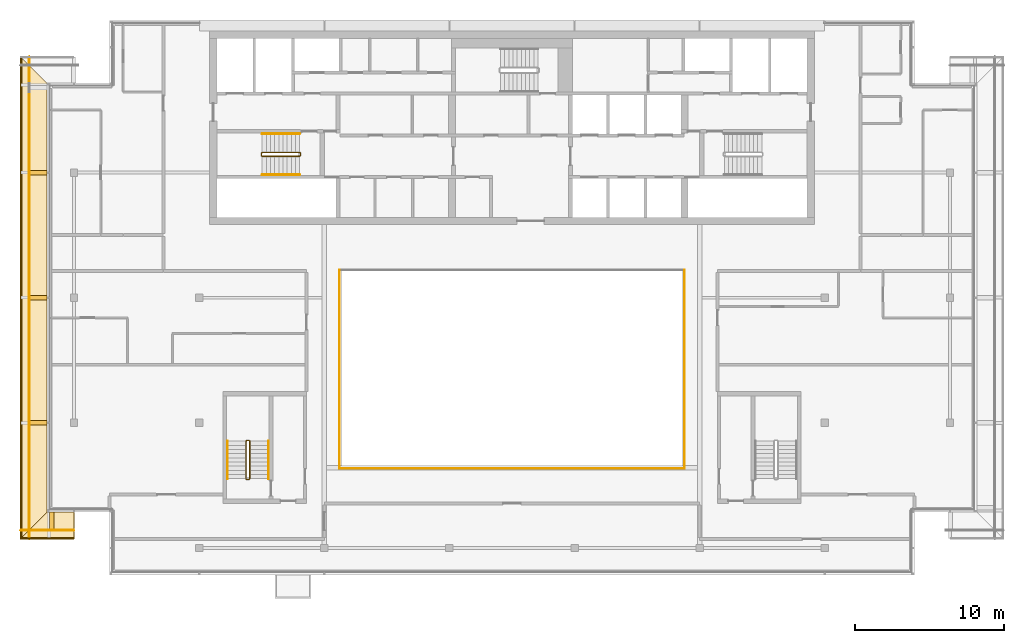
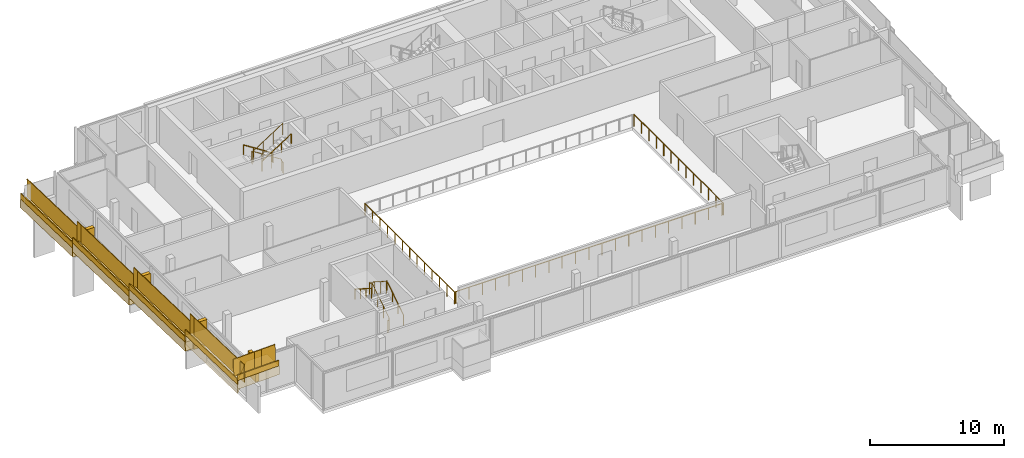
# One storey, part 16 of 19: 18 railings, 14 coverings.
"""IFC4 building model written with IfcOpenShell, lengths in metres."""

from ifc_helpers import new_model, si_unit, direction, frame, origin, origin_2d, place, context, subcontext, project, spatial, polyline, rectangle, circle, outline, extrude, material, layer, layer_set, type_object, element, save


model = new_model("IFC4")

# Units and contexts
model_context = context("Model", 3, precision=1e-05, world=origin(), true_north=direction((0.0, 1.0)))
body_context = subcontext(model_context, "Body", "Model", "MODEL_VIEW")
ifc_project = project(units=[si_unit("LENGTHUNIT", "METRE"), si_unit("AREAUNIT", "SQUARE_METRE"), si_unit("VOLUMEUNIT", "CUBIC_METRE"), si_unit("PLANEANGLEUNIT", "RADIAN"), si_unit("MASSUNIT", "GRAM", prefix="KILO")], contexts=[model_context])

# Site, building, storey
site_placement = place(None, origin())
site = spatial("IfcSite", under=ifc_project, at=site_placement, CompositionType="ELEMENT")
building_placement = place(site_placement, origin())
building = spatial("IfcBuilding", under=site, at=building_placement, Name="Saffron Gate Tower", CompositionType="ELEMENT")
storey_placement = place(building_placement, frame((0.0, 0.0, 292.35009765625)))
storey = spatial("IfcBuildingStorey", under=building, at=storey_placement, Name="L71", CompositionType="ELEMENT", Elevation=292.35009765625)

# Railings
ifc_material_1 = material(Name="Stainless steel and laminated glass", Category="steel")
railing_type_1 = type_object("IfcRailingType", Name="AG1 Atrium edge guard 1100", PredefinedType="GUARDRAIL", material=ifc_material_1)
railing_1_placement = place(storey_placement, frame((76.02001953125, 45.5400390625, 0.0)))
element("IfcRailing", 1, at=railing_1_placement, inside=storey, type_object=railing_type_1, Name="Guard E5-1", PredefinedType="GUARDRAIL", context=body_context, shape_type="SweptSolid", body=[
    extrude(circle(Radius=0.02392578125, at=origin_2d()), frame((0.0, 0.0, 1.076171875), z_axis=(0.0, 1.0, 0.0), x_axis=(-1.0, 0.0, 0.0)), (0.0, 0.0, 1.0), 13.320068359375),
    extrude(circle(Radius=0.02099609375, at=origin_2d()), origin(), (0.0, 0.0, 1.0), 1.052001953125),
    extrude(circle(Radius=0.02099609375, at=origin_2d()), frame((0.0, 1.110107421875, 0.0)), (0.0, 0.0, 1.0), 1.052001953125),
    extrude(circle(Radius=0.02099609375, at=origin_2d()), frame((0.0, 2.219970703125, 0.0)), (0.0, 0.0, 1.0), 1.052001953125),
    extrude(circle(Radius=0.02099609375, at=origin_2d()), frame((0.0, 3.330078125, 0.0)), (0.0, 0.0, 1.0), 1.052001953125),
    extrude(circle(Radius=0.02099609375, at=origin_2d()), frame((0.0, 4.43994140625, 0.0)), (0.0, 0.0, 1.0), 1.052001953125),
    extrude(circle(Radius=0.02099609375, at=origin_2d()), frame((0.0, 5.550048828125, 0.0)), (0.0, 0.0, 1.0), 1.052001953125),
    extrude(circle(Radius=0.02099609375, at=origin_2d()), frame((0.0, 6.66015625, 0.0)), (0.0, 0.0, 1.0), 1.052001953125),
    extrude(circle(Radius=0.02099609375, at=origin_2d()), frame((0.0, 7.77001953125, 0.0)), (0.0, 0.0, 1.0), 1.052001953125),
    extrude(circle(Radius=0.02099609375, at=origin_2d()), frame((0.0, 8.880126953125, 0.0)), (0.0, 0.0, 1.0), 1.052001953125),
    extrude(circle(Radius=0.02099609375, at=origin_2d()), frame((0.0, 9.989990234375, 0.0)), (0.0, 0.0, 1.0), 1.052001953125),
    extrude(circle(Radius=0.02099609375, at=origin_2d()), frame((0.0, 11.10009765625, 0.0)), (0.0, 0.0, 1.0), 1.052001953125),
    extrude(circle(Radius=0.02099609375, at=origin_2d()), frame((0.0, 12.2099609375, 0.0)), (0.0, 0.0, 1.0), 1.052001953125),
    extrude(circle(Radius=0.02099609375, at=origin_2d()), frame((0.0, 13.320068359375, 0.0)), (0.0, 0.0, 1.0), 1.052001953125),
])
railing_2_placement = place(storey_placement, frame((99.179931640625, 58.860107421875, 0.0)))
element("IfcRailing", 2, at=railing_2_placement, inside=storey, type_object=railing_type_1, Name="Guard E5-3", PredefinedType="GUARDRAIL", context=body_context, shape_type="SweptSolid", body=[
    extrude(circle(Radius=0.02392578125, at=origin_2d()), frame((0.0, 0.0, 1.076171875), z_axis=(0.0, -1.0, 0.0), x_axis=(1.0, 0.0, 0.0)), (0.0, 0.0, 1.0), 13.320068359375),
    extrude(circle(Radius=0.02099609375, at=origin_2d()), origin(), (0.0, 0.0, 1.0), 1.052001953125),
    extrude(circle(Radius=0.02099609375, at=origin_2d()), frame((0.0, -1.110107421875, 0.0)), (0.0, 0.0, 1.0), 1.052001953125),
    extrude(circle(Radius=0.02099609375, at=origin_2d()), frame((0.0, -2.219970703125, 0.0)), (0.0, 0.0, 1.0), 1.052001953125),
    extrude(circle(Radius=0.02099609375, at=origin_2d()), frame((0.0, -3.330078125, 0.0)), (0.0, 0.0, 1.0), 1.052001953125),
    extrude(circle(Radius=0.02099609375, at=origin_2d()), frame((0.0, -4.43994140625, 0.0)), (0.0, 0.0, 1.0), 1.052001953125),
    extrude(circle(Radius=0.02099609375, at=origin_2d()), frame((0.0, -5.550048828125, 0.0)), (0.0, 0.0, 1.0), 1.052001953125),
    extrude(circle(Radius=0.02099609375, at=origin_2d()), frame((0.0, -6.66015625, 0.0)), (0.0, 0.0, 1.0), 1.052001953125),
    extrude(circle(Radius=0.02099609375, at=origin_2d()), frame((0.0, -7.77001953125, 0.0)), (0.0, 0.0, 1.0), 1.052001953125),
    extrude(circle(Radius=0.02099609375, at=origin_2d()), frame((0.0, -8.880126953125, 0.0)), (0.0, 0.0, 1.0), 1.052001953125),
    extrude(circle(Radius=0.02099609375, at=origin_2d()), frame((0.0, -9.989990234375, 0.0)), (0.0, 0.0, 1.0), 1.052001953125),
    extrude(circle(Radius=0.02099609375, at=origin_2d()), frame((0.0, -11.10009765625, 0.0)), (0.0, 0.0, 1.0), 1.052001953125),
    extrude(circle(Radius=0.02099609375, at=origin_2d()), frame((0.0, -12.2099609375, 0.0)), (0.0, 0.0, 1.0), 1.052001953125),
    extrude(circle(Radius=0.02099609375, at=origin_2d()), frame((0.0, -13.320068359375, 0.0)), (0.0, 0.0, 1.0), 1.052001953125),
])
railing_3_placement = place(storey_placement, frame((99.06005859375, 45.5400390625, 0.0)))
element("IfcRailing", 3, at=railing_3_placement, inside=storey, type_object=railing_type_1, Name="Guard E5-4", PredefinedType="GUARDRAIL", context=body_context, shape_type="SweptSolid", body=[
    extrude(circle(Radius=0.02392578125, at=origin_2d()), frame((0.0, 0.0, 1.076171875), z_axis=(-1.0, 0.0, 0.0), x_axis=(0.0, -1.0, 0.0)), (0.0, 0.0, 1.0), 22.920166015625),
    extrude(circle(Radius=0.02099609375, at=origin_2d()), origin(), (0.0, 0.0, 1.0), 1.052001953125),
    extrude(circle(Radius=0.02099609375, at=origin_2d()), frame((-1.14599609375, 0.0, 0.0)), (0.0, 0.0, 1.0), 1.052001953125),
    extrude(circle(Radius=0.02099609375, at=origin_2d()), frame((-2.2919921875, 0.0, 0.0)), (0.0, 0.0, 1.0), 1.052001953125),
    extrude(circle(Radius=0.02099609375, at=origin_2d()), frame((-3.43798828125, 0.0, 0.0)), (0.0, 0.0, 1.0), 1.052001953125),
    extrude(circle(Radius=0.02099609375, at=origin_2d()), frame((-4.583984375, 0.0, 0.0)), (0.0, 0.0, 1.0), 1.052001953125),
    extrude(circle(Radius=0.02099609375, at=origin_2d()), frame((-5.72998046875, 0.0, 0.0)), (0.0, 0.0, 1.0), 1.052001953125),
    extrude(circle(Radius=0.02099609375, at=origin_2d()), frame((-6.8759765625, 0.0, 0.0)), (0.0, 0.0, 1.0), 1.052001953125),
    extrude(circle(Radius=0.02099609375, at=origin_2d()), frame((-8.02197265625, 0.0, 0.0)), (0.0, 0.0, 1.0), 1.052001953125),
    extrude(circle(Radius=0.02099609375, at=origin_2d()), frame((-9.16796875, 0.0, 0.0)), (0.0, 0.0, 1.0), 1.052001953125),
    extrude(circle(Radius=0.02099609375, at=origin_2d()), frame((-10.31396484375, 0.0, 0.0)), (0.0, 0.0, 1.0), 1.052001953125),
    extrude(circle(Radius=0.02099609375, at=origin_2d()), frame((-11.4599609375, 0.0, 0.0)), (0.0, 0.0, 1.0), 1.052001953125),
    extrude(circle(Radius=0.02099609375, at=origin_2d()), frame((-12.606201171875, 0.0, 0.0)), (0.0, 0.0, 1.0), 1.052001953125),
    extrude(circle(Radius=0.02099609375, at=origin_2d()), frame((-13.752197265625, 0.0, 0.0)), (0.0, 0.0, 1.0), 1.052001953125),
    extrude(circle(Radius=0.02099609375, at=origin_2d()), frame((-14.898193359375, 0.0, 0.0)), (0.0, 0.0, 1.0), 1.052001953125),
    extrude(circle(Radius=0.02099609375, at=origin_2d()), frame((-16.044189453125, 0.0, 0.0)), (0.0, 0.0, 1.0), 1.052001953125),
    extrude(circle(Radius=0.02099609375, at=origin_2d()), frame((-17.190185546875, 0.0, 0.0)), (0.0, 0.0, 1.0), 1.052001953125),
    extrude(circle(Radius=0.02099609375, at=origin_2d()), frame((-18.336181640625, 0.0, 0.0)), (0.0, 0.0, 1.0), 1.052001953125),
    extrude(circle(Radius=0.02099609375, at=origin_2d()), frame((-19.482177734375, 0.0, 0.0)), (0.0, 0.0, 1.0), 1.052001953125),
    extrude(circle(Radius=0.02099609375, at=origin_2d()), frame((-20.628173828125, 0.0, 0.0)), (0.0, 0.0, 1.0), 1.052001953125),
    extrude(circle(Radius=0.02099609375, at=origin_2d()), frame((-21.774169921875, 0.0, 0.0)), (0.0, 0.0, 1.0), 1.052001953125),
    extrude(circle(Radius=0.02099609375, at=origin_2d()), frame((-22.920166015625, 0.0, 0.0)), (0.0, 0.0, 1.0), 1.052001953125),
])
railing_type_2 = type_object("IfcRailingType", Name="CR1 Stair guard 1100", PredefinedType="GUARDRAIL", material=ifc_material_1)
railing_4_placement = place(storey_placement, frame((73.39990234375, 66.550048828125, 0.0)))
element("IfcRailing", 4, at=railing_4_placement, inside=storey, type_object=railing_type_2, Name="L71 ST-A stair guard 1", PredefinedType="GUARDRAIL", context=body_context, shape_type="SweptSolid", body=[
    extrude(circle(Radius=0.02392578125, at=origin_2d()), frame((0.0, 0.0, 1.076171875), z_axis=(0.0, 1.0, 0.0), x_axis=(-1.0, 0.0, 0.0)), (0.0, 0.0, 1.0), 0.14990234375),
    extrude(circle(Radius=0.02392578125, at=origin_2d()), frame((0.0, 0.14990234375, 1.076171875), z_axis=(-0.257669022063, 0.258932105505, 0.930892496375), x_axis=(-0.708833529934, -0.705375805398, 0.0)), (0.0, 0.0, 1.0), 0.193359375),
    extrude(circle(Radius=0.02392578125, at=origin_2d()), frame((-0.0498046875, 0.199951171875, 1.255859375), z_axis=(-0.841199657755, 0.0, 0.540724639528), x_axis=(0.0, -1.0, 0.0)), (0.0, 0.0, 1.0), 2.995849609375),
    extrude(circle(Radius=0.02392578125, at=origin_2d()), frame((-2.56982421875, 0.199951171875, 2.8759765625), z_axis=(-0.707106781187, -0.707106781187, 0.0), x_axis=(0.707106781187, -0.707106781187, 0.0)), (0.0, 0.0, 1.0), 0.07080078125),
    extrude(circle(Radius=0.02392578125, at=origin_2d()), frame((-2.619873046875, 0.14990234375, 2.8759765625), z_axis=(0.0, -1.0, 0.0), x_axis=(1.0, 0.0, 0.0)), (0.0, 0.0, 1.0), 0.14990234375),
    extrude(circle(Radius=0.02392578125, at=origin_2d()), frame((-2.619873046875, 0.0, 2.8759765625), z_axis=(0.258543844998, -0.258543844998, 0.930757841991), x_axis=(0.707106781187, 0.707106781187, 0.0)), (0.0, 0.0, 1.0), 0.193603515625),
    extrude(circle(Radius=0.02392578125, at=origin_2d()), frame((-2.56982421875, -0.050048828125, 3.05615234375), z_axis=(0.841199657755, 0.0, 0.540724639528), x_axis=(0.0, 1.0, 0.0)), (0.0, 0.0, 1.0), 2.995849609375),
    extrude(circle(Radius=0.02099609375, at=origin_2d()), origin(), (0.0, 0.0, 1.0), 1.052001953125),
    extrude(circle(Radius=0.02099609375, at=origin_2d()), frame((0.0, 0.14990234375, 0.0)), (0.0, 0.0, 1.0), 1.052001953125),
    extrude(circle(Radius=0.02099609375, at=origin_2d()), frame((-0.0498046875, 0.199951171875, 0.179931640625)), (0.0, 0.0, 1.0), 1.052001953125),
    extrude(circle(Radius=0.02099609375, at=origin_2d()), frame((-0.889892578125, 0.199951171875, 0.719970703125)), (0.0, 0.0, 1.0), 1.052001953125),
    extrude(circle(Radius=0.02099609375, at=origin_2d()), frame((-1.729736328125, 0.199951171875, 1.259765625)), (0.0, 0.0, 1.0), 1.052001953125),
    extrude(circle(Radius=0.02099609375, at=origin_2d()), frame((-2.56982421875, 0.199951171875, 1.7998046875)), (0.0, 0.0, 1.0), 1.052001953125),
    extrude(circle(Radius=0.02099609375, at=origin_2d()), frame((-2.619873046875, 0.14990234375, 1.7998046875)), (0.0, 0.0, 1.0), 1.052001953125),
    extrude(circle(Radius=0.02099609375, at=origin_2d()), frame((-2.619873046875, 0.0, 1.7998046875)), (0.0, 0.0, 1.0), 1.052001953125),
    extrude(circle(Radius=0.02099609375, at=origin_2d()), frame((-2.56982421875, -0.050048828125, 1.97998046875)), (0.0, 0.0, 1.0), 1.052001953125),
    extrude(circle(Radius=0.02099609375, at=origin_2d()), frame((-1.729736328125, -0.050048828125, 2.52001953125)), (0.0, 0.0, 1.0), 1.052001953125),
    extrude(circle(Radius=0.02099609375, at=origin_2d()), frame((-0.889892578125, -0.050048828125, 3.059814453125)), (0.0, 0.0, 1.0), 1.052001953125),
    extrude(circle(Radius=0.02099609375, at=origin_2d()), frame((-0.0498046875, -0.050048828125, 3.599853515625)), (0.0, 0.0, 1.0), 1.052001953125),
])
railing_5_placement = place(storey_placement, frame((69.800048828125, 44.800048828125, 0.0)))
element("IfcRailing", 5, at=railing_5_placement, inside=storey, type_object=railing_type_2, Name="L71 ST-D stair guard 1", PredefinedType="GUARDRAIL", context=body_context, shape_type="SweptSolid", body=[
    extrude(circle(Radius=0.02392578125, at=origin_2d()), frame((0.0, 0.0, 1.076171875), z_axis=(1.0, 0.0, 0.0), x_axis=(0.0, 1.0, 0.0)), (0.0, 0.0, 1.0), 0.14990234375),
    extrude(circle(Radius=0.02392578125, at=origin_2d()), frame((0.14990234375, 0.0, 1.076171875), z_axis=(0.258847668887, 0.258847668887, 0.930588936439), x_axis=(-0.707106781187, 0.707106781187, 0.0)), (0.0, 0.0, 1.0), 0.193359375),
    extrude(circle(Radius=0.02392578125, at=origin_2d()), frame((0.199951171875, 0.050048828125, 1.255859375), z_axis=(0.0, 0.841199657755, 0.540724639528), x_axis=(-1.0, 0.0, 0.0)), (0.0, 0.0, 1.0), 2.995849609375),
    extrude(circle(Radius=0.02392578125, at=origin_2d()), frame((0.199951171875, 2.570068359375, 2.8759765625), z_axis=(-0.708833529934, 0.705375805398, 0.0), x_axis=(-0.705375805398, -0.708833529934, 0.0)), (0.0, 0.0, 1.0), 0.070556640625),
    extrude(circle(Radius=0.02392578125, at=origin_2d()), frame((0.14990234375, 2.619873046875, 2.8759765625), z_axis=(-1.0, 0.0, 0.0), x_axis=(0.0, -1.0, 0.0)), (0.0, 0.0, 1.0), 0.14990234375),
    extrude(circle(Radius=0.02392578125, at=origin_2d()), frame((0.0, 2.619873046875, 2.8759765625), z_axis=(-0.258627984543, -0.257366384619, 0.931060744355), x_axis=(0.705375805398, -0.708833529934, 0.0)), (0.0, 0.0, 1.0), 0.193603515625),
    extrude(circle(Radius=0.02392578125, at=origin_2d()), frame((-0.050048828125, 2.570068359375, 3.05615234375), z_axis=(0.0, -0.841199657755, 0.540724639528), x_axis=(1.0, 0.0, 0.0)), (0.0, 0.0, 1.0), 2.995849609375),
    extrude(circle(Radius=0.02099609375, at=origin_2d()), origin(), (0.0, 0.0, 1.0), 1.052001953125),
    extrude(circle(Radius=0.02099609375, at=origin_2d()), frame((0.14990234375, 0.0, 0.0)), (0.0, 0.0, 1.0), 1.052001953125),
    extrude(circle(Radius=0.02099609375, at=origin_2d()), frame((0.199951171875, 0.050048828125, 0.179931640625)), (0.0, 0.0, 1.0), 1.052001953125),
    extrude(circle(Radius=0.02099609375, at=origin_2d()), frame((0.199951171875, 0.89013671875, 0.719970703125)), (0.0, 0.0, 1.0), 1.052001953125),
    extrude(circle(Radius=0.02099609375, at=origin_2d()), frame((0.199951171875, 1.72998046875, 1.259765625)), (0.0, 0.0, 1.0), 1.052001953125),
    extrude(circle(Radius=0.02099609375, at=origin_2d()), frame((0.199951171875, 2.570068359375, 1.7998046875)), (0.0, 0.0, 1.0), 1.052001953125),
    extrude(circle(Radius=0.02099609375, at=origin_2d()), frame((0.14990234375, 2.619873046875, 1.7998046875)), (0.0, 0.0, 1.0), 1.052001953125),
    extrude(circle(Radius=0.02099609375, at=origin_2d()), frame((0.0, 2.619873046875, 1.7998046875)), (0.0, 0.0, 1.0), 1.052001953125),
    extrude(circle(Radius=0.02099609375, at=origin_2d()), frame((-0.050048828125, 2.570068359375, 1.97998046875)), (0.0, 0.0, 1.0), 1.052001953125),
    extrude(circle(Radius=0.02099609375, at=origin_2d()), frame((-0.050048828125, 1.72998046875, 2.52001953125)), (0.0, 0.0, 1.0), 1.052001953125),
    extrude(circle(Radius=0.02099609375, at=origin_2d()), frame((-0.050048828125, 0.89013671875, 3.059814453125)), (0.0, 0.0, 1.0), 1.052001953125),
    extrude(circle(Radius=0.02099609375, at=origin_2d()), frame((-0.050048828125, 0.050048828125, 3.599853515625)), (0.0, 0.0, 1.0), 1.052001953125),
])
ifc_material_2 = material(Name="Stainless steel", Category="steel")
railing_type_3 = type_object("IfcRailingType", Name="CR2 Stair handrail 900", PredefinedType="HANDRAIL", material=ifc_material_2)
railing_6_placement = place(storey_placement, frame((73.35009765625, 68.0, 0.179931640625)))
element("IfcRailing", 6, at=railing_6_placement, inside=storey, type_object=railing_type_3, Name="L71 ST-A stair handrail 1", PredefinedType="HANDRAIL", context=body_context, shape_type="SweptSolid", body=[
    extrude(circle(Radius=0.02392578125, at=origin_2d()), frame((0.0, 0.0, 0.8759765625), z_axis=(-0.841199657755, 0.0, 0.540724639528), x_axis=(0.0, -1.0, 0.0)), (0.0, 0.0, 1.0), 2.995849609375),
    extrude(circle(Radius=0.02099609375, at=origin_2d()), origin(), (0.0, 0.0, 1.0), 0.851806640625),
    extrude(circle(Radius=0.02099609375, at=origin_2d()), frame((-0.840087890625, 0.0, 0.5400390625)), (0.0, 0.0, 1.0), 0.851806640625),
    extrude(circle(Radius=0.02099609375, at=origin_2d()), frame((-1.679931640625, 0.0, 1.079833984375)), (0.0, 0.0, 1.0), 0.851806640625),
    extrude(circle(Radius=0.02099609375, at=origin_2d()), frame((-2.52001953125, 0.0, 1.619873046875)), (0.0, 0.0, 1.0), 0.851806640625),
])
railing_7_placement = place(storey_placement, frame((70.830078125, 65.25, 1.97998046875)))
element("IfcRailing", 7, at=railing_7_placement, inside=storey, type_object=railing_type_3, Name="L71 ST-A stair handrail 2", PredefinedType="HANDRAIL", context=body_context, shape_type="SweptSolid", body=[
    extrude(circle(Radius=0.02392578125, at=origin_2d()), frame((0.0, 0.0, 0.8759765625), z_axis=(0.841199657755, 0.0, 0.540724639528), x_axis=(0.0, 1.0, 0.0)), (0.0, 0.0, 1.0), 2.995849609375),
    extrude(circle(Radius=0.02099609375, at=origin_2d()), origin(), (0.0, 0.0, 1.0), 0.851806640625),
    extrude(circle(Radius=0.02099609375, at=origin_2d()), frame((0.840087890625, 0.0, 0.5400390625)), (0.0, 0.0, 1.0), 0.851806640625),
    extrude(circle(Radius=0.02099609375, at=origin_2d()), frame((1.679931640625, 0.0, 1.079833984375)), (0.0, 0.0, 1.0), 0.851806640625),
    extrude(circle(Radius=0.02099609375, at=origin_2d()), frame((2.52001953125, 0.0, 1.619873046875)), (0.0, 0.0, 1.0), 0.851806640625),
])
railing_8_placement = place(storey_placement, frame((71.25, 44.85009765625, 0.179931640625)))
element("IfcRailing", 8, at=railing_8_placement, inside=storey, type_object=railing_type_3, Name="L71 ST-D stair handrail 1", PredefinedType="HANDRAIL", context=body_context, shape_type="SweptSolid", body=[
    extrude(circle(Radius=0.02392578125, at=origin_2d()), frame((0.0, 0.0, 0.8759765625), z_axis=(0.0, 0.841199657755, 0.540724639528), x_axis=(-1.0, 0.0, 0.0)), (0.0, 0.0, 1.0), 2.995849609375),
    extrude(circle(Radius=0.02099609375, at=origin_2d()), origin(), (0.0, 0.0, 1.0), 0.851806640625),
    extrude(circle(Radius=0.02099609375, at=origin_2d()), frame((0.0, 0.840087890625, 0.5400390625)), (0.0, 0.0, 1.0), 0.851806640625),
    extrude(circle(Radius=0.02099609375, at=origin_2d()), frame((0.0, 1.679931640625, 1.079833984375)), (0.0, 0.0, 1.0), 0.851806640625),
    extrude(circle(Radius=0.02099609375, at=origin_2d()), frame((0.0, 2.52001953125, 1.619873046875)), (0.0, 0.0, 1.0), 0.851806640625),
])
railing_9_placement = place(storey_placement, frame((68.5, 47.3701171875, 1.97998046875)))
element("IfcRailing", 9, at=railing_9_placement, inside=storey, type_object=railing_type_3, Name="L71 ST-D stair handrail 2", PredefinedType="HANDRAIL", context=body_context, shape_type="SweptSolid", body=[
    extrude(circle(Radius=0.02392578125, at=origin_2d()), frame((0.0, 0.0, 0.8759765625), z_axis=(0.0, -0.841199657755, 0.540724639528), x_axis=(1.0, 0.0, 0.0)), (0.0, 0.0, 1.0), 2.995849609375),
    extrude(circle(Radius=0.02099609375, at=origin_2d()), origin(), (0.0, 0.0, 1.0), 0.851806640625),
    extrude(circle(Radius=0.02099609375, at=origin_2d()), frame((0.0, -0.840087890625, 0.5400390625)), (0.0, 0.0, 1.0), 0.851806640625),
    extrude(circle(Radius=0.02099609375, at=origin_2d()), frame((0.0, -1.679931640625, 1.079833984375)), (0.0, 0.0, 1.0), 0.851806640625),
    extrude(circle(Radius=0.02099609375, at=origin_2d()), frame((0.0, -2.52001953125, 1.619873046875)), (0.0, 0.0, 1.0), 0.851806640625),
])

# Coverings
ifc_material_3 = material(Name="Timber, thermally modified ash", Category="wood")
ifc_layer_1 = layer(ifc_material_3, 0.800048828125)
ifc_layer_set_1 = layer_set([ifc_layer_1], Name="LD1 ledge timber")
covering_type_1 = type_object("IfcCoveringType", Name="LD1 ledge timber", PredefinedType="CLADDING", material=ifc_layer_set_1)
covering_1_placement = place(storey_placement, frame((56.39990234375, 71.39990234375, 0.359130859375), z_axis=(-3.5032058e-05, 0.028807146299, 0.99958498743), x_axis=(-3.68e-10, -0.999584988043, 0.028807146316)))
element("IfcCovering", 10, at=covering_1_placement, inside=storey, type_object=covering_type_1, Name="LEDGE", PredefinedType="CLADDING", context=body_context, shape_type="SweptSolid", body=[
    extrude(outline(polyline([(0.0, 0.0), (6.0024892885105, 0.0), (6.002489289172793, -1.7998046863955992), (-1.800799813548424, -1.799804691475862), (0.0, 0.0)])), origin(), (0.0, 0.0, -1.0), 0.800048828125),
])
for number, where, z_axis, x_axis, name in (
    (11, (56.39990234375, 65.39990234375, 0.999267578125), (0.0, 0.028791175352, 0.999585448184), (0.0, -0.999585448184, 0.028791175352), "LEDGE"),
    (12, (56.39990234375, 57.0, 1.895751953125), (0.0, 0.028791175352, 0.999585448184), (0.0, -0.999585448184, 0.028791175352), "LEDGE"),
):
    element("IfcCovering", number, at=place(storey_placement, frame(where, z_axis=z_axis, x_axis=x_axis)), inside=storey, type_object=covering_type_1, Name=name, PredefinedType="CLADDING", context=body_context, shape_type="SweptSolid", body=[
        extrude(outline(polyline([(0.0, 0.0), (8.403385982666892, 0.0), (8.403385982666892, -1.7998046875), (0.0, -1.7998046875), (0.0, 0.0)])), origin(), (0.0, 0.0, -1.0), 0.800048828125),
    ])
covering_2_placement = place(storey_placement, frame((56.39990234375, 48.60009765625, 2.792236328125), z_axis=(-2.3920834e-05, 0.028789477025, 0.999585496814), x_axis=(1.72e-10, -0.9995854971, 0.028789477033)))
element("IfcCovering", 13, at=covering_2_placement, inside=storey, type_object=covering_type_1, Name="LEDGE", PredefinedType="CLADDING", context=body_context, shape_type="SweptSolid", body=[
    extrude(outline(polyline([(0.0, 0.0), (6.002489288687248, 8.470329472543003e-22), (7.80328207139786, -1.7998046893537554), (-3.087962377470193e-10, -1.7998046869850703), (0.0, 0.0)])), origin(), (0.0, 0.0, -1.0), 0.800048828125),
])
covering_3_placement = place(storey_placement, frame((56.39990234375, 42.60009765625, 3.432373046875), z_axis=(-0.028833291474, 4.3887651e-05, 0.999584233257), x_axis=(0.99958423422, -1.925e-09, 0.028833291502)))
element("IfcCovering", 14, at=covering_3_placement, inside=storey, type_object=covering_type_1, Name="LEDGE", PredefinedType="CLADDING", context=body_context, shape_type="SweptSolid", body=[
    extrude(outline(polyline([(0.0, 0.0), (1.8007998168930421, 4.235164736271502e-22), (1.8007998203587168, -1.8000488263914396), (-1.8005487349298768, -1.8000488367923182), (0.0, 0.0)])), origin(), (0.0, 0.0, -1.0), 0.800048828125),
])
ifc_layer_2 = layer(ifc_material_3, 0.080078125)
ifc_layer_set_2 = layer_set([ifc_layer_2], Name="LD2 ledge planter trough")
covering_type_2 = type_object("IfcCoveringType", Name="LD2 ledge planter trough", PredefinedType="CLADDING", material=ifc_layer_set_2)
covering_4_placement = place(storey_placement, frame((54.60009765625, 73.199951171875, 0.30712890625), z_axis=(-1.0, 0.0, 0.0), x_axis=(0.0, -0.999584755248, 0.028815222999)))
element("IfcCovering", 15, at=covering_4_placement, inside=storey, type_object=covering_type_2, Name="LEDGE planter trough", PredefinedType="CLADDING", context=body_context, shape_type="SweptSolid", body=[
    extrude(outline(polyline([(0.0, 0.0), (7.803289102975944, 0.0), (7.8176967144752565, 0.4997923776238338), (0.014407611499312996, 0.4997923776238338), (0.0, 0.0)])), origin(), (0.0, 0.0, -1.0), 0.080078125),
])
for number, where, z_axis, x_axis, name in (
    (16, (54.60009765625, 65.39990234375, 0.999267578125), (-1.0, 0.0, 0.0), (0.0, -0.999585448184, 0.028791175352), "LEDGE planter trough"),
    (17, (54.60009765625, 57.0, 1.895751953125), (-1.0, 0.0, 0.0), (0.0, -0.999585448184, 0.028791175352), "LEDGE planter trough"),
):
    element("IfcCovering", number, at=place(storey_placement, frame(where, z_axis=z_axis, x_axis=x_axis)), inside=storey, type_object=covering_type_2, Name=name, PredefinedType="CLADDING", context=body_context, shape_type="SweptSolid", body=[
        extrude(outline(polyline([(0.0, 0.0), (8.403385982666892, 0.0), (8.417781570342743, 0.49979272409216496), (0.014395587675851172, 0.4997927240921649), (0.0, 0.0)])), origin(), (0.0, 0.0, -1.0), 0.080078125),
    ])
covering_5_placement = place(storey_placement, frame((54.60009765625, 48.60009765625, 2.792236328125), z_axis=(-1.0, 0.0, 0.0), x_axis=(0.0, -0.999585655924, 0.028783962047)))
element("IfcCovering", 18, at=covering_5_placement, inside=storey, type_object=covering_type_2, Name="LEDGE planter trough", PredefinedType="CLADDING", context=body_context, shape_type="SweptSolid", body=[
    extrude(outline(polyline([(0.0, 0.0), (7.803282071825423, 2.7755575615628914e-17), (7.817674052849086, 0.4997928279619612), (0.014391981023662846, 0.4997928279619612), (0.0, 0.0)])), origin(), (0.0, 0.0, -1.0), 0.080078125),
])
covering_6_placement = place(storey_placement, frame((54.60009765625, 40.800048828125, 3.380615234375), z_axis=(0.0, -1.0, 0.0), x_axis=(0.999584866472, 0.0, 0.028811364412)))
element("IfcCovering", 19, at=covering_6_placement, inside=storey, type_object=covering_type_2, Name="LEDGE planter trough", PredefinedType="CLADDING", context=body_context, shape_type="SweptSolid", body=[
    extrude(outline(polyline([(0.0, 0.0), (3.601348556155073, 0.0), (3.6157542383609322, 0.49979243323622236), (0.01440568220585924, 0.49979243323622236), (0.0, 0.0)])), origin(), (0.0, 0.0, -1.0), 0.080078125),
])
ifc_layer_3 = layer(ifc_material_3, 0.300048828125)
ifc_layer_set_3 = layer_set([ifc_layer_3], Name="LD3 ledge riser fin")
covering_type_3 = type_object("IfcCoveringType", Name="LD3 ledge riser fin", PredefinedType="CLADDING", material=ifc_layer_set_3)
covering_7_placement = place(storey_placement, frame((55.840087890625, 65.39990234375, -0.26806640625), z_axis=(0.0, 0.0, 1.0), x_axis=(0.0, -1.0, 0.0)))
element("IfcCovering", 20, at=covering_7_placement, inside=storey, type_object=covering_type_3, Name="LEDGE riser fin", PredefinedType="CLADDING", context=body_context, shape_type="SweptSolid", body=[
    extrude(rectangle(XDim=0.300048828125, YDim=1.1201171875, at=origin_2d()), origin(), (0.0, 0.0, 1.0), 2.16748046875),
])
for number, where, z_axis, x_axis, name in (
    (21, (55.840087890625, 57.0, 0.44140625), (0.0, 0.0, 1.0), (0.0, -1.0, 0.0), "LEDGE riser fin"),
    (22, (55.840087890625, 48.60009765625, 1.337646484375), (0.0, 0.0, 1.0), (0.0, -1.0, 0.0), "LEDGE riser fin"),
):
    element("IfcCovering", number, at=place(storey_placement, frame(where, z_axis=z_axis, x_axis=x_axis)), inside=storey, type_object=covering_type_3, Name=name, PredefinedType="CLADDING", context=body_context, shape_type="SweptSolid", body=[
        extrude(rectangle(XDim=0.300048828125, YDim=1.1201171875, at=origin_2d()), origin(), (0.0, 0.0, 1.0), 2.3544921875),
    ])
covering_8_placement = place(storey_placement, frame((56.699951171875, 42.0400390625, 2.1650390625), z_axis=(0.0, 0.0, 1.0), x_axis=(1.0, 0.0, 0.0)))
element("IfcCovering", 23, at=covering_8_placement, inside=storey, type_object=covering_type_3, Name="LEDGE riser fin", PredefinedType="CLADDING", context=body_context, shape_type="SweptSolid", body=[
    extrude(rectangle(XDim=0.300048828125, YDim=1.1201171875, at=origin_2d()), origin(), (0.0, 0.0, 1.0), 2.16748046875),
])

# Railings
railing_type_4 = type_object("IfcRailingType", Name="LG1 ledge balustrade", PredefinedType="BALUSTRADE", material=ifc_material_3)
railing_10_placement = place(storey_placement, frame((55.199951171875, 73.199951171875, 0.30712890625)))
element("IfcRailing", 24, at=railing_10_placement, inside=storey, type_object=railing_type_4, Name="LEDGE BALUSTRADE", PredefinedType="BALUSTRADE", context=body_context, shape_type="SweptSolid", body=[
    extrude(rectangle(XDim=0.06005859375, YDim=1.60009765625, at=origin_2d()), frame((0.0, 0.0, 0.800048828125), z_axis=(0.0, -0.999584755248, 0.028815222999), x_axis=(1.0, 0.0, 0.0)), (0.0, 0.0, 1.0), 7.80322265625),
])
railing_11_placement = place(storey_placement, frame((55.199951171875, 65.39990234375, 0.999267578125)))
element("IfcRailing", 25, at=railing_11_placement, inside=storey, type_object=railing_type_4, Name="LEDGE BALUSTRADE", PredefinedType="BALUSTRADE", context=body_context, shape_type="SweptSolid", body=[
    extrude(rectangle(XDim=0.06005859375, YDim=1.60009765625, at=origin_2d()), frame((0.0, 0.0, 0.800048828125), z_axis=(0.0, -0.999585448184, 0.028791175352), x_axis=(1.0, 0.0, 0.0)), (0.0, 0.0, 1.0), 8.4033203125),
])
railing_12_placement = place(storey_placement, frame((55.199951171875, 65.699951171875, 0.531982421875)))
element("IfcRailing", 26, at=railing_12_placement, inside=storey, type_object=railing_type_4, Name="LEDGE BALUSTRADE", PredefinedType="BALUSTRADE", context=body_context, shape_type="SweptSolid", body=[
    extrude(rectangle(XDim=0.06005859375, YDim=2.0673828125, at=origin_2d()), frame((0.0, 0.0, 1.03369140625), z_axis=(0.0, -1.0, 0.0), x_axis=(1.0, 0.0, 0.0)), (0.0, 0.0, 1.0), 0.599853515625),
])
railing_13_placement = place(storey_placement, frame((55.199951171875, 57.0, 1.895751953125)))
element("IfcRailing", 27, at=railing_13_placement, inside=storey, type_object=railing_type_4, Name="LEDGE BALUSTRADE", PredefinedType="BALUSTRADE", context=body_context, shape_type="SweptSolid", body=[
    extrude(rectangle(XDim=0.06005859375, YDim=1.60009765625, at=origin_2d()), frame((0.0, 0.0, 0.800048828125), z_axis=(0.0, -0.999585448184, 0.028791175352), x_axis=(1.0, 0.0, 0.0)), (0.0, 0.0, 1.0), 8.4033203125),
])
railing_14_placement = place(storey_placement, frame((55.199951171875, 57.300048828125, 1.2412109375)))
element("IfcRailing", 28, at=railing_14_placement, inside=storey, type_object=railing_type_4, Name="LEDGE BALUSTRADE", PredefinedType="BALUSTRADE", context=body_context, shape_type="SweptSolid", body=[
    extrude(rectangle(XDim=0.06005859375, YDim=2.25439453125, at=origin_2d()), frame((0.0, 0.0, 1.127197265625), z_axis=(0.0, -1.0, 0.0), x_axis=(1.0, 0.0, 0.0)), (0.0, 0.0, 1.0), 0.60009765625),
])
railing_15_placement = place(storey_placement, frame((55.199951171875, 48.60009765625, 2.792236328125)))
element("IfcRailing", 29, at=railing_15_placement, inside=storey, type_object=railing_type_4, Name="LEDGE BALUSTRADE", PredefinedType="BALUSTRADE", context=body_context, shape_type="SweptSolid", body=[
    extrude(rectangle(XDim=0.06005859375, YDim=1.60009765625, at=origin_2d()), frame((0.0, 0.0, 0.800048828125), z_axis=(0.0, -0.999585655924, 0.028783962047), x_axis=(1.0, 0.0, 0.0)), (0.0, 0.0, 1.0), 7.80322265625),
])
railing_16_placement = place(storey_placement, frame((55.199951171875, 48.89990234375, 2.1376953125)))
element("IfcRailing", 30, at=railing_16_placement, inside=storey, type_object=railing_type_4, Name="LEDGE BALUSTRADE", PredefinedType="BALUSTRADE", context=body_context, shape_type="SweptSolid", body=[
    extrude(rectangle(XDim=0.06005859375, YDim=2.25439453125, at=origin_2d()), frame((0.0, 0.0, 1.127197265625), z_axis=(0.0, -1.0, 0.0), x_axis=(1.0, 0.0, 0.0)), (0.0, 0.0, 1.0), 0.599853515625),
])
railing_17_placement = place(storey_placement, frame((54.60009765625, 41.39990234375, 3.380615234375)))
element("IfcRailing", 31, at=railing_17_placement, inside=storey, type_object=railing_type_4, Name="LEDGE BALUSTRADE", PredefinedType="BALUSTRADE", context=body_context, shape_type="SweptSolid", body=[
    extrude(rectangle(XDim=0.06005859375, YDim=1.60009765625, at=origin_2d()), frame((0.0, 0.0, 0.800048828125), z_axis=(0.999584866472, 0.0, 0.028811364412), x_axis=(0.0, 1.0, 0.0)), (0.0, 0.0, 1.0), 3.601318359375),
])
railing_18_placement = place(storey_placement, frame((56.39990234375, 41.39990234375, 2.965087890625)))
element("IfcRailing", 32, at=railing_18_placement, inside=storey, type_object=railing_type_4, Name="LEDGE BALUSTRADE", PredefinedType="BALUSTRADE", context=body_context, shape_type="SweptSolid", body=[
    extrude(rectangle(XDim=0.06005859375, YDim=2.0673828125, at=origin_2d()), frame((0.0, 0.0, 1.03369140625), z_axis=(1.0, 0.0, 0.0), x_axis=(0.0, 1.0, 0.0)), (0.0, 0.0, 1.0), 0.60009765625),
])

save(model, "model.ifc")
